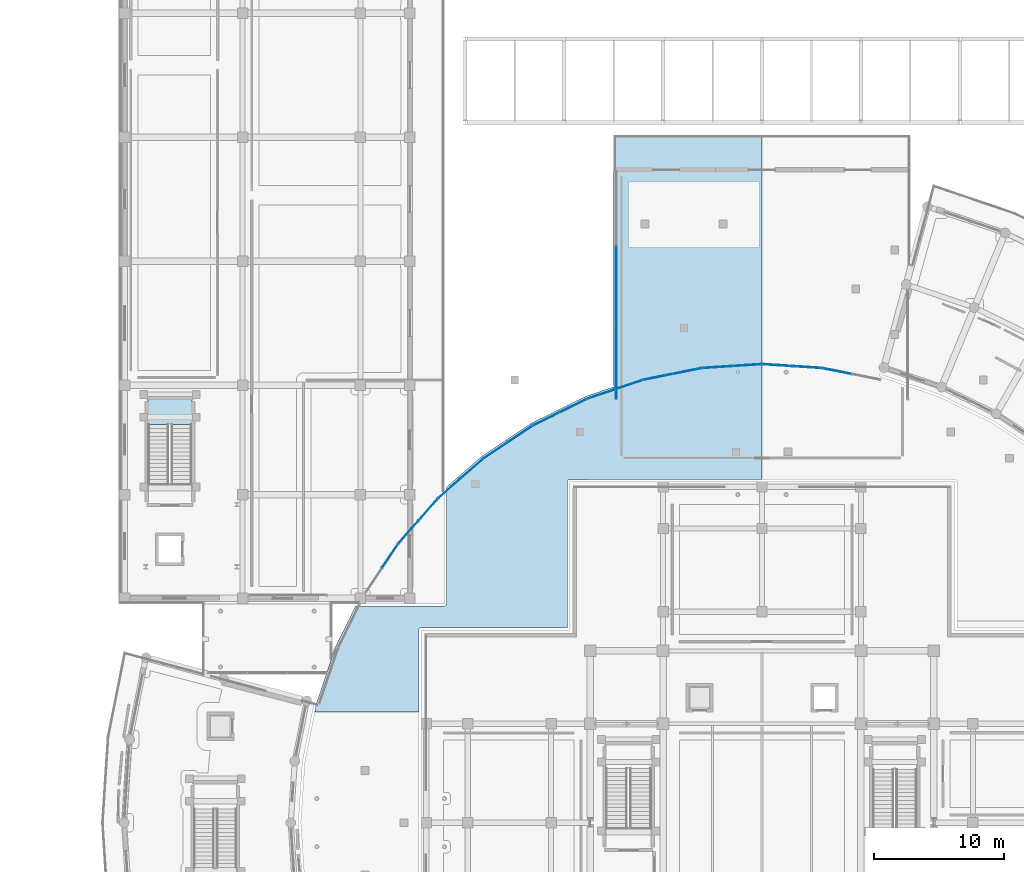
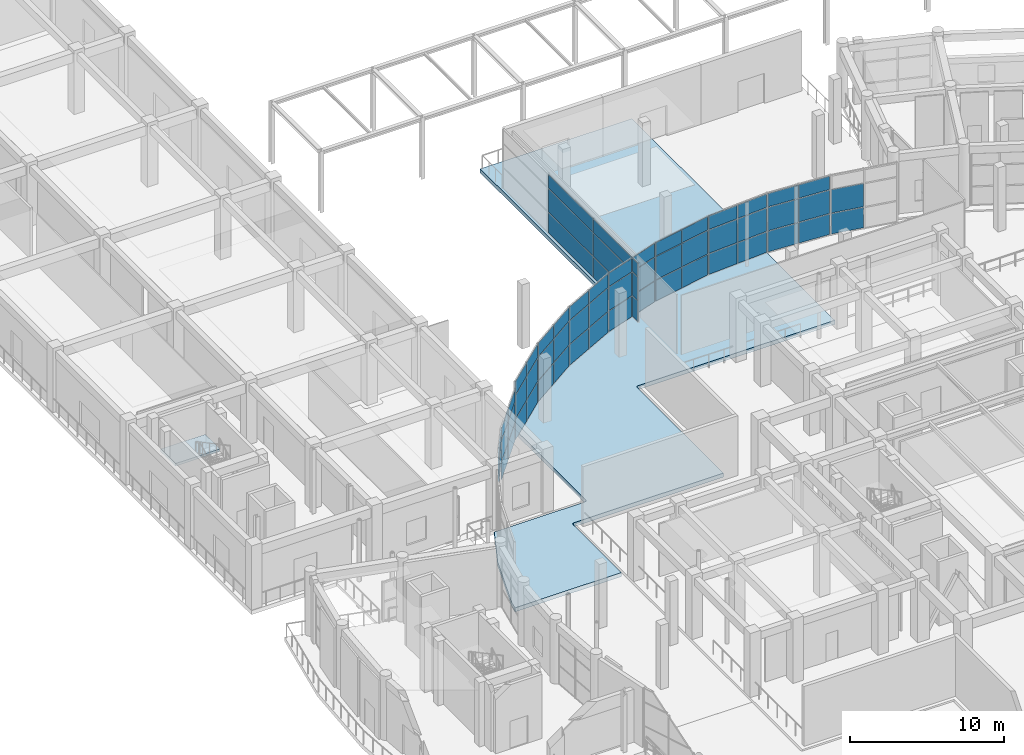
# One storey, part 59 of 99: 58 plates, 2 slabs, 12 elements without a shape of their own.
"""IFC4 building model written with IfcOpenShell, lengths in metres."""

import ifcopenshell
import ifcopenshell.guid

model = None  # the IFC model being written
_history = None  # IfcOwnerHistory: only IFC2X3 demands one
_inside = {}  # id of a spatial element -> (the spatial element, [elements in it])
_under = {}  # id of a project, library or spatial element -> (it, [spatial elements below it])
_declared = {}  # id of a project -> (the project, [libraries it declares])
_typed = {}  # id of a type object -> (the type object, [elements of that type])
_made_of = {}  # id of a material, layer set ... -> (it, [elements and type objects made of it])


def new_model(schema):
    """Start an empty IFC model of exactly this schema.

    Asked for "IFC4X3", IfcOpenShell would pick the latest addendum, in which some entities
    have other attributes; the version numbers below select the first issue.
    IFC2X3 requires an IfcOwnerHistory on every rooted entity: one is made here for all.
    """
    global model, _history
    if schema == "IFC4X3":
        model = ifcopenshell.file(schema_version=(4, 3, 0, 0))
    else:
        model = ifcopenshell.file(schema=schema)
    _inside.clear()
    _under.clear()
    _declared.clear()
    _typed.clear()
    _made_of.clear()
    _history = None
    if model.schema == "IFC2X3":
        org = make("IfcOrganization", Name="unknown")
        user = make(
            "IfcPersonAndOrganization",
            ThePerson=make("IfcPerson", FamilyName="unknown"),
            TheOrganization=org,
        )
        app = make(
            "IfcApplication",
            ApplicationDeveloper=org,
            Version="unknown",
            ApplicationFullName="unknown",
            ApplicationIdentifier="unknown",
        )
        _history = make(
            "IfcOwnerHistory",
            OwningUser=user,
            OwningApplication=app,
            ChangeAction="ADDED",
            CreationDate=0,
        )
    return model


def make(cls, **values):
    """One entity of the class cls with the attributes given. An attribute that is None is left unset."""
    return model.create_entity(
        cls, **{name: value for name, value in values.items() if value is not None}
    )


def rooted(cls, **values):
    """An entity with a GlobalId (a new one), such as an element, a storey or a relation."""
    return make(cls, GlobalId=ifcopenshell.guid.new(), OwnerHistory=_history, **values)


def si_unit(unit_type, name, prefix=None):
    """IfcSIUnit, for example si_unit("LENGTHUNIT", "METRE", prefix="MILLI")."""
    return make("IfcSIUnit", UnitType=unit_type, Prefix=prefix, Name=name)


def assignment(units):
    """IfcUnitAssignment: the units of a project."""
    return None if units is None else make("IfcUnitAssignment", Units=units)


def point(xyz):
    """IfcCartesianPoint."""
    return None if xyz is None else make("IfcCartesianPoint", Coordinates=xyz)


def direction(xyz):
    """IfcDirection."""
    return None if xyz is None else make("IfcDirection", DirectionRatios=xyz)


def frame(location, z_axis=None, x_axis=None):
    """IfcAxis2Placement3D, a coordinate frame: its origin and axes. An axis left out is left unset."""
    return make(
        "IfcAxis2Placement3D",
        Location=point(location),
        Axis=direction(z_axis),
        RefDirection=direction(x_axis),
    )


def frame_2d(location, x_axis=None):
    """IfcAxis2Placement2D, a coordinate frame in the plane: its origin and x axis."""
    return make(
        "IfcAxis2Placement2D", Location=point(location), RefDirection=direction(x_axis)
    )


def origin():
    """The frame at (0, 0, 0) with its axes left unset."""
    return frame((0.0, 0.0, 0.0))


def origin_2d():
    """The frame at (0, 0) in the plane with its x axis left unset."""
    return frame_2d((0.0, 0.0))


def place(relative_to, where):
    """IfcLocalPlacement: puts the frame where relative to a parent placement (None: the world)."""
    return make(
        "IfcLocalPlacement", PlacementRelTo=relative_to, RelativePlacement=where
    )


def context(
    kind, dimensions, precision=None, world=None, true_north=None, identifier=None
):
    """IfcGeometricRepresentationContext, for example the 3D "Model" context."""
    return make(
        "IfcGeometricRepresentationContext",
        ContextIdentifier=identifier,
        ContextType=kind,
        CoordinateSpaceDimension=dimensions,
        Precision=precision,
        WorldCoordinateSystem=world,
        TrueNorth=true_north,
    )


def subcontext(parent, identifier, kind, view, scale=None):
    """IfcGeometricRepresentationSubContext, for example "Body" below "Model"."""
    return make(
        "IfcGeometricRepresentationSubContext",
        ContextIdentifier=identifier,
        ContextType=kind,
        ParentContext=parent,
        TargetScale=scale,
        TargetView=view,
    )


def project(units=None, contexts=None):
    """IfcProject with its units and contexts."""
    return rooted(
        "IfcProject",
        Name="project",
        RepresentationContexts=contexts,
        UnitsInContext=assignment(units),
    )


def spatial(cls, under=None, at=None, **own):
    """A site, building, storey or space (cls), placed at a placement, below another one or the project."""
    s = rooted(cls, ObjectPlacement=at, **own)
    if under is not None:
        _under.setdefault(under.id(), (under, []))[1].append(s)
    return s


def polyline(points):
    """IfcPolyline through the points."""
    return make("IfcPolyline", Points=[point(p) for p in points])


def profile(cls, at=None, kind="AREA", **sizes):
    """A parametric profile (cls). Its sizes go by their IFC names, for example OverallWidth=200.0."""
    return make(cls, ProfileType=kind, Position=at, **sizes)


def rectangle(**sizes):
    """IfcRectangleProfileDef."""
    return profile("IfcRectangleProfileDef", **sizes)


def outline(outer, holes=None, kind="AREA"):
    """IfcArbitraryClosedProfileDef: a profile drawn as a closed curve; with holes, ...WithVoids."""
    if holes is None:
        return make("IfcArbitraryClosedProfileDef", ProfileType=kind, OuterCurve=outer)
    return make(
        "IfcArbitraryProfileDefWithVoids",
        ProfileType=kind,
        OuterCurve=outer,
        InnerCurves=holes,
    )


def extrude(swept, where, along, depth):
    """IfcExtrudedAreaSolid: the profile swept, set in the frame where, extruded along a direction by depth."""
    return make(
        "IfcExtrudedAreaSolid",
        SweptArea=swept,
        Position=where,
        ExtrudedDirection=direction(along),
        Depth=depth,
    )


def shape(context_of_items, identifier, shape_type, items):
    """IfcShapeRepresentation: the items that make up one representation, for example the "Body"."""
    return make(
        "IfcShapeRepresentation",
        ContextOfItems=context_of_items,
        RepresentationIdentifier=identifier,
        RepresentationType=shape_type,
        Items=items,
    )


def material(Name=None, Category=None):
    """IfcMaterial."""
    return make("IfcMaterial", Name=Name, Category=Category)


def layer(
    of_material, thickness, ventilated=None, Name=None, Category=None, Priority=None
):
    """IfcMaterialLayer: one layer of a wall or slab, of a material (None: an air gap)."""
    return make(
        "IfcMaterialLayer",
        Material=of_material,
        LayerThickness=thickness,
        IsVentilated=ventilated,
        Name=Name,
        Category=Category,
        Priority=Priority,
    )


def layer_set(layers, Name=None):
    """IfcMaterialLayerSet."""
    return make("IfcMaterialLayerSet", MaterialLayers=layers, LayerSetName=Name)


def made_of(thing, what):
    """Note that an element or type object is made of a material, layer set ...; save() writes the relation."""
    if what is not None:
        _made_of.setdefault(what.id(), (what, []))[1].append(thing)
    return thing


def type_object(cls, material=None, **own):
    """A type object (cls), such as IfcWallType, which elements share."""
    return made_of(rooted(cls, **own), material)


def element(
    cls,
    number,
    at=None,
    inside=None,
    cuts=None,
    type_object=None,
    material=None,
    context=None,
    identifier="Body",
    shape_type=None,
    held_by="IfcProductDefinitionShape",
    body=None,
    shapes=None,
    **own,
):
    """One element of the class cls, such as IfcWall. Its Tag is "e" and its number.

    at: its placement. inside: the storey or other place that contains it. cuts: it is an
    opening in that element (IfcRelVoidsElement). A single representation is given by context,
    identifier, shape_type and body (its items); several are given by shapes. held_by: the class
    of the entity that holds the representations. save() writes the other relations.
    """
    e = rooted(cls, Tag="e%d" % number, ObjectPlacement=at, **own)
    if body is not None:
        shapes = [shape(context, identifier, shape_type, body)]
    if shapes is not None:
        e.Representation = make(held_by, Representations=shapes)
    if inside is not None:
        _inside.setdefault(inside.id(), (inside, []))[1].append(e)
    if cuts is not None:
        rooted(
            "IfcRelVoidsElement", RelatingBuildingElement=cuts, RelatedOpeningElement=e
        )
    if type_object is not None:
        _typed.setdefault(type_object.id(), (type_object, []))[1].append(e)
    return made_of(e, material)


def aggregate(whole, parts):
    """IfcRelAggregates: a whole, such as a stair, and the parts it consists of."""
    return rooted("IfcRelAggregates", RelatingObject=whole, RelatedObjects=parts)


def save(model, path):
    """Write the relations noted so far, then the file.

    IfcRelAggregates (storeys below a building ...), IfcRelContainedInSpatialStructure (elements
    in a storey), IfcRelDefinesByType, IfcRelAssociatesMaterial and IfcRelDeclares: one each for
    every whole, place, type object, material and project.
    """
    for whole, parts in _under.values():
        aggregate(whole, parts)
    for where, things in _inside.values():
        rooted(
            "IfcRelContainedInSpatialStructure",
            RelatedElements=things,
            RelatingStructure=where,
        )
    for kind, things in _typed.values():
        rooted("IfcRelDefinesByType", RelatedObjects=things, RelatingType=kind)
    for what, things in _made_of.values():
        rooted("IfcRelAssociatesMaterial", RelatedObjects=things, RelatingMaterial=what)
    for by, libraries in _declared.values():
        rooted("IfcRelDeclares", RelatingContext=by, RelatedDefinitions=libraries)
    model.write(path)


model = new_model("IFC4")

# Units and contexts
model_context = context("Model", 3, precision=1e-05, world=origin(), true_north=direction((0.0, 1.0)))
body_context = subcontext(model_context, "Body", "Model", "MODEL_VIEW")
ifc_project = project(units=[si_unit("LENGTHUNIT", "METRE"), si_unit("AREAUNIT", "SQUARE_METRE"), si_unit("VOLUMEUNIT", "CUBIC_METRE"), si_unit("PLANEANGLEUNIT", "RADIAN"), si_unit("MASSUNIT", "GRAM", prefix="KILO")], contexts=[model_context])

# Site, building, storey
site_placement = place(None, origin())
site = spatial("IfcSite", under=ifc_project, at=site_placement, CompositionType="ELEMENT")
building_placement = place(site_placement, origin())
building = spatial("IfcBuilding", under=site, at=building_placement, Name="Saryqyr Civic Hall", CompositionType="ELEMENT")
storey_placement = place(building_placement, origin())
storey = spatial("IfcBuildingStorey", under=building, at=storey_placement, Name="L00", CompositionType="ELEMENT", Elevation=0.0)

# Curtain wall, plates
ifc_material_1 = material(Name="Anodised aluminium and triple low-E glass", Category="aluminium")
curtain_wall_type_1 = type_object("IfcCurtainWallType", Name="ENV-CW-STD-65", PredefinedType="NOTDEFINED", material=ifc_material_1)
curtain_wall_1_placement = place(storey_placement, origin())
curtain_wall_1 = element("IfcCurtainWall", 1, at=curtain_wall_1_placement, inside=storey, type_object=curtain_wall_type_1, Name="Curtain wall V2-VESTFLK-NW-L00", PredefinedType="NOTDEFINED")
ifc_material_2 = material(Name="Triple low-E insulated glazing", Category="glass")
ifc_layer_1 = layer(ifc_material_2, 0.053955078125, Name="Triple low-E insulated glazing")
ifc_layer_set_1 = layer_set([ifc_layer_1], Name="Triple low-E insulated glazing")
plate_type = type_object("IfcPlateType", Name="ENV-CW-PNL-38", PredefinedType="CURTAIN_PANEL", material=ifc_layer_set_1)
plate_1_placement = place(storey_placement, frame((45.800048828125, 119.456787109375, 0.06005859375), z_axis=(0.0, 0.0, 1.0), x_axis=(0.0, 1.0, 0.0)))
plate_1 = element("IfcPlate", 2, at=plate_1_placement, type_object=plate_type, Name="CW-65 panel 1.1", PredefinedType="CURTAIN_PANEL", context=body_context, shape_type="SweptSolid", body=[
    extrude(rectangle(XDim=5.793212890625, YDim=0.053955078125, at=origin_2d()), origin(), (0.0, 0.0, 1.0), 1.6201171875),
])
plate_2_placement = place(storey_placement, frame((45.800048828125, 119.456787109375, 1.73974609375), z_axis=(0.0, 0.0, 1.0), x_axis=(0.0, 1.0, 0.0)))
plate_2 = element("IfcPlate", 3, at=plate_2_placement, type_object=plate_type, Name="CW-65 panel 1.2", PredefinedType="CURTAIN_PANEL", context=body_context, shape_type="SweptSolid", body=[
    extrude(rectangle(XDim=5.793212890625, YDim=0.053955078125, at=origin_2d()), origin(), (0.0, 0.0, 1.0), 1.840087890625),
])
plate_3_placement = place(storey_placement, frame((45.800048828125, 119.456787109375, 3.64013671875), z_axis=(0.0, 0.0, 1.0), x_axis=(0.0, 1.0, 0.0)))
plate_3 = element("IfcPlate", 4, at=plate_3_placement, type_object=plate_type, Name="CW-65 panel 1.3", PredefinedType="CURTAIN_PANEL", context=body_context, shape_type="SweptSolid", body=[
    extrude(rectangle(XDim=5.793212890625, YDim=0.053955078125, at=origin_2d()), origin(), (0.0, 0.0, 1.0), 1.050048828125),
])
plate_4_placement = place(storey_placement, frame((45.800048828125, 125.324951171875, 0.06005859375), z_axis=(0.0, 0.0, 1.0), x_axis=(0.0, 1.0, 0.0)))
plate_4 = element("IfcPlate", 5, at=plate_4_placement, type_object=plate_type, Name="CW-65 panel 2.1", PredefinedType="CURTAIN_PANEL", context=body_context, shape_type="SweptSolid", body=[
    extrude(rectangle(XDim=5.8232421875, YDim=0.053955078125, at=origin_2d()), origin(), (0.0, 0.0, 1.0), 1.6201171875),
])
plate_5_placement = place(storey_placement, frame((45.800048828125, 125.324951171875, 1.73974609375), z_axis=(0.0, 0.0, 1.0), x_axis=(0.0, 1.0, 0.0)))
plate_5 = element("IfcPlate", 6, at=plate_5_placement, type_object=plate_type, Name="CW-65 panel 2.2", PredefinedType="CURTAIN_PANEL", context=body_context, shape_type="SweptSolid", body=[
    extrude(rectangle(XDim=5.8232421875, YDim=0.053955078125, at=origin_2d()), origin(), (0.0, 0.0, 1.0), 1.840087890625),
])
plate_6_placement = place(storey_placement, frame((45.800048828125, 125.324951171875, 3.64013671875), z_axis=(0.0, 0.0, 1.0), x_axis=(0.0, 1.0, 0.0)))
plate_6 = element("IfcPlate", 7, at=plate_6_placement, type_object=plate_type, Name="CW-65 panel 2.3", PredefinedType="CURTAIN_PANEL", context=body_context, shape_type="SweptSolid", body=[
    extrude(rectangle(XDim=5.8232421875, YDim=0.053955078125, at=origin_2d()), origin(), (0.0, 0.0, 1.0), 1.050048828125),
])
aggregate(curtain_wall_1, [plate_1, plate_2, plate_3, plate_4, plate_5, plate_6])

curtain_wall_type_2 = type_object("IfcCurtainWallType", Name="ENV-CW-STD-67", PredefinedType="NOTDEFINED", material=ifc_material_1)
curtain_wall_2_placement = place(storey_placement, origin())
curtain_wall_2 = element("IfcCurtainWall", 8, at=curtain_wall_2_placement, inside=storey, type_object=curtain_wall_type_2, Name="Curtain wall V2-PERIM-CW-L00-10", PredefinedType="NOTDEFINED")
plate_7_placement = place(storey_placement, frame((62.741455078125, 118.691162109375, 0.06005859375), z_axis=(0.0, 0.0, 1.0), x_axis=(0.980784679507, -0.195093342902, 0.0)))
plate_7 = element("IfcPlate", 9, at=plate_7_placement, type_object=plate_type, Name="CW-67 panel 1.1", PredefinedType="CURTAIN_PANEL", context=body_context, shape_type="SweptSolid", body=[
    extrude(rectangle(XDim=2.213623046875, YDim=0.053955078125, at=origin_2d()), origin(), (0.0, 0.0, 1.0), 1.6201171875),
])
plate_8_placement = place(storey_placement, frame((62.741455078125, 118.691162109375, 1.73974609375), z_axis=(0.0, 0.0, 1.0), x_axis=(0.980784679507, -0.195093342902, 0.0)))
plate_8 = element("IfcPlate", 10, at=plate_8_placement, type_object=plate_type, Name="CW-67 panel 1.2", PredefinedType="CURTAIN_PANEL", context=body_context, shape_type="SweptSolid", body=[
    extrude(rectangle(XDim=2.213623046875, YDim=0.053955078125, at=origin_2d()), origin(), (0.0, 0.0, 1.0), 1.840087890625),
])
aggregate(curtain_wall_2, [plate_7, plate_8])

curtain_wall_3_placement = place(storey_placement, origin())
curtain_wall_3 = element("IfcCurtainWall", 11, at=curtain_wall_3_placement, inside=storey, type_object=curtain_wall_type_2, Name="Curtain wall V2-PERIM-CW-L00-11", PredefinedType="NOTDEFINED")
plate_9_placement = place(storey_placement, frame((58.164306640625, 119.143798828125, 0.06005859375), z_axis=(0.0, 0.0, 1.0), x_axis=(0.997859062814, -0.065400999681, 0.0)))
plate_9 = element("IfcPlate", 12, at=plate_9_placement, type_object=plate_type, Name="CW-67 panel 1.1", PredefinedType="CURTAIN_PANEL", context=body_context, shape_type="SweptSolid", body=[
    extrude(rectangle(XDim=2.21337890625, YDim=0.053955078125, at=origin_2d()), origin(), (0.0, 0.0, 1.0), 1.6201171875),
])
plate_10_placement = place(storey_placement, frame((58.164306640625, 119.143798828125, 1.73974609375), z_axis=(0.0, 0.0, 1.0), x_axis=(0.997859062814, -0.065400999681, 0.0)))
plate_10 = element("IfcPlate", 13, at=plate_10_placement, type_object=plate_type, Name="CW-67 panel 1.2", PredefinedType="CURTAIN_PANEL", context=body_context, shape_type="SweptSolid", body=[
    extrude(rectangle(XDim=2.21337890625, YDim=0.053955078125, at=origin_2d()), origin(), (0.0, 0.0, 1.0), 1.840087890625),
])
plate_11_placement = place(storey_placement, frame((58.164306640625, 119.143798828125, 3.64013671875), z_axis=(0.0, 0.0, 1.0), x_axis=(0.997859062814, -0.065400999681, 0.0)))
plate_11 = element("IfcPlate", 14, at=plate_11_placement, type_object=plate_type, Name="CW-67 panel 1.3", PredefinedType="CURTAIN_PANEL", context=body_context, shape_type="SweptSolid", body=[
    extrude(rectangle(XDim=2.21337890625, YDim=0.053955078125, at=origin_2d()), origin(), (0.0, 0.0, 1.0), 1.050048828125),
])
plate_12_placement = place(storey_placement, frame((60.432861328125, 118.9951171875, 0.06005859375), z_axis=(0.0, 0.0, 1.0), x_axis=(0.997859062814, -0.065400999681, 0.0)))
plate_12 = element("IfcPlate", 15, at=plate_12_placement, type_object=plate_type, Name="CW-67 panel 2.1", PredefinedType="CURTAIN_PANEL", context=body_context, shape_type="SweptSolid", body=[
    extrude(rectangle(XDim=2.21337890625, YDim=0.053955078125, at=origin_2d()), origin(), (0.0, 0.0, 1.0), 1.6201171875),
])
plate_13_placement = place(storey_placement, frame((60.432861328125, 118.9951171875, 1.73974609375), z_axis=(0.0, 0.0, 1.0), x_axis=(0.997859062814, -0.065400999681, 0.0)))
plate_13 = element("IfcPlate", 16, at=plate_13_placement, type_object=plate_type, Name="CW-67 panel 2.2", PredefinedType="CURTAIN_PANEL", context=body_context, shape_type="SweptSolid", body=[
    extrude(rectangle(XDim=2.21337890625, YDim=0.053955078125, at=origin_2d()), origin(), (0.0, 0.0, 1.0), 1.840087890625),
])
plate_14_placement = place(storey_placement, frame((60.432861328125, 118.9951171875, 3.64013671875), z_axis=(0.0, 0.0, 1.0), x_axis=(0.997859062814, -0.065400999681, 0.0)))
plate_14 = element("IfcPlate", 17, at=plate_14_placement, type_object=plate_type, Name="CW-67 panel 2.3", PredefinedType="CURTAIN_PANEL", context=body_context, shape_type="SweptSolid", body=[
    extrude(rectangle(XDim=2.21337890625, YDim=0.053955078125, at=origin_2d()), origin(), (0.0, 0.0, 1.0), 1.050048828125),
])
aggregate(curtain_wall_3, [plate_9, plate_10, plate_11, plate_12, plate_13, plate_14])

curtain_wall_4_placement = place(storey_placement, origin())
curtain_wall_4 = element("IfcCurtainWall", 18, at=curtain_wall_4_placement, inside=storey, type_object=curtain_wall_type_2, Name="Curtain wall V2-PERIM-CW-L00-12", PredefinedType="NOTDEFINED")
plate_15_placement = place(storey_placement, frame((53.567138671875, 118.9951171875, 0.06005859375), z_axis=(0.0, 0.0, 1.0), x_axis=(0.997859062814, 0.065400999681, 0.0)))
plate_15 = element("IfcPlate", 19, at=plate_15_placement, type_object=plate_type, Name="CW-67 panel 1.1", PredefinedType="CURTAIN_PANEL", context=body_context, shape_type="SweptSolid", body=[
    extrude(rectangle(XDim=2.21337890625, YDim=0.053955078125, at=origin_2d()), origin(), (0.0, 0.0, 1.0), 1.6201171875),
])
plate_16_placement = place(storey_placement, frame((53.567138671875, 118.9951171875, 1.73974609375), z_axis=(0.0, 0.0, 1.0), x_axis=(0.997859062814, 0.065400999681, 0.0)))
plate_16 = element("IfcPlate", 20, at=plate_16_placement, type_object=plate_type, Name="CW-67 panel 1.2", PredefinedType="CURTAIN_PANEL", context=body_context, shape_type="SweptSolid", body=[
    extrude(rectangle(XDim=2.21337890625, YDim=0.053955078125, at=origin_2d()), origin(), (0.0, 0.0, 1.0), 1.840087890625),
])
plate_17_placement = place(storey_placement, frame((53.567138671875, 118.9951171875, 3.64013671875), z_axis=(0.0, 0.0, 1.0), x_axis=(0.997859062814, 0.065400999681, 0.0)))
plate_17 = element("IfcPlate", 21, at=plate_17_placement, type_object=plate_type, Name="CW-67 panel 1.3", PredefinedType="CURTAIN_PANEL", context=body_context, shape_type="SweptSolid", body=[
    extrude(rectangle(XDim=2.21337890625, YDim=0.053955078125, at=origin_2d()), origin(), (0.0, 0.0, 1.0), 1.050048828125),
])
plate_18_placement = place(storey_placement, frame((55.835693359375, 119.143798828125, 0.06005859375), z_axis=(0.0, 0.0, 1.0), x_axis=(0.997859062814, 0.065400999681, 0.0)))
plate_18 = element("IfcPlate", 22, at=plate_18_placement, type_object=plate_type, Name="CW-67 panel 2.1", PredefinedType="CURTAIN_PANEL", context=body_context, shape_type="SweptSolid", body=[
    extrude(rectangle(XDim=2.21337890625, YDim=0.053955078125, at=origin_2d()), origin(), (0.0, 0.0, 1.0), 1.6201171875),
])
plate_19_placement = place(storey_placement, frame((55.835693359375, 119.143798828125, 1.73974609375), z_axis=(0.0, 0.0, 1.0), x_axis=(0.997859062814, 0.065400999681, 0.0)))
plate_19 = element("IfcPlate", 23, at=plate_19_placement, type_object=plate_type, Name="CW-67 panel 2.2", PredefinedType="CURTAIN_PANEL", context=body_context, shape_type="SweptSolid", body=[
    extrude(rectangle(XDim=2.21337890625, YDim=0.053955078125, at=origin_2d()), origin(), (0.0, 0.0, 1.0), 1.840087890625),
])
plate_20_placement = place(storey_placement, frame((55.835693359375, 119.143798828125, 3.64013671875), z_axis=(0.0, 0.0, 1.0), x_axis=(0.997859062814, 0.065400999681, 0.0)))
plate_20 = element("IfcPlate", 24, at=plate_20_placement, type_object=plate_type, Name="CW-67 panel 2.3", PredefinedType="CURTAIN_PANEL", context=body_context, shape_type="SweptSolid", body=[
    extrude(rectangle(XDim=2.21337890625, YDim=0.053955078125, at=origin_2d()), origin(), (0.0, 0.0, 1.0), 1.050048828125),
])
aggregate(curtain_wall_4, [plate_15, plate_16, plate_17, plate_18, plate_19, plate_20])

curtain_wall_5_placement = place(storey_placement, origin())
curtain_wall_5 = element("IfcCurtainWall", 25, at=curtain_wall_5_placement, inside=storey, type_object=curtain_wall_type_2, Name="Curtain wall V2-PERIM-CW-L00-13", PredefinedType="NOTDEFINED")
plate_21_placement = place(storey_placement, frame((49.02880859375, 118.24755859375, 0.06005859375), z_axis=(0.0, 0.0, 1.0), x_axis=(0.980784679507, 0.195093342902, 0.0)))
plate_21 = element("IfcPlate", 26, at=plate_21_placement, type_object=plate_type, Name="CW-67 panel 1.1", PredefinedType="CURTAIN_PANEL", context=body_context, shape_type="SweptSolid", body=[
    extrude(rectangle(XDim=2.213623046875, YDim=0.053955078125, at=origin_2d()), origin(), (0.0, 0.0, 1.0), 1.6201171875),
])
plate_22_placement = place(storey_placement, frame((49.02880859375, 118.24755859375, 1.73974609375), z_axis=(0.0, 0.0, 1.0), x_axis=(0.980784679507, 0.195093342902, 0.0)))
plate_22 = element("IfcPlate", 27, at=plate_22_placement, type_object=plate_type, Name="CW-67 panel 1.2", PredefinedType="CURTAIN_PANEL", context=body_context, shape_type="SweptSolid", body=[
    extrude(rectangle(XDim=2.213623046875, YDim=0.053955078125, at=origin_2d()), origin(), (0.0, 0.0, 1.0), 1.840087890625),
])
plate_23_placement = place(storey_placement, frame((49.02880859375, 118.24755859375, 3.64013671875), z_axis=(0.0, 0.0, 1.0), x_axis=(0.980784679507, 0.195093342902, 0.0)))
plate_23 = element("IfcPlate", 28, at=plate_23_placement, type_object=plate_type, Name="CW-67 panel 1.3", PredefinedType="CURTAIN_PANEL", context=body_context, shape_type="SweptSolid", body=[
    extrude(rectangle(XDim=2.213623046875, YDim=0.053955078125, at=origin_2d()), origin(), (0.0, 0.0, 1.0), 1.050048828125),
])
plate_24_placement = place(storey_placement, frame((51.258544921875, 118.691162109375, 0.06005859375), z_axis=(0.0, 0.0, 1.0), x_axis=(0.980784679507, 0.195093342902, 0.0)))
plate_24 = element("IfcPlate", 29, at=plate_24_placement, type_object=plate_type, Name="CW-67 panel 2.1", PredefinedType="CURTAIN_PANEL", context=body_context, shape_type="SweptSolid", body=[
    extrude(rectangle(XDim=2.213623046875, YDim=0.053955078125, at=origin_2d()), origin(), (0.0, 0.0, 1.0), 1.6201171875),
])
plate_25_placement = place(storey_placement, frame((51.258544921875, 118.691162109375, 1.73974609375), z_axis=(0.0, 0.0, 1.0), x_axis=(0.980784679507, 0.195093342902, 0.0)))
plate_25 = element("IfcPlate", 30, at=plate_25_placement, type_object=plate_type, Name="CW-67 panel 2.2", PredefinedType="CURTAIN_PANEL", context=body_context, shape_type="SweptSolid", body=[
    extrude(rectangle(XDim=2.213623046875, YDim=0.053955078125, at=origin_2d()), origin(), (0.0, 0.0, 1.0), 1.840087890625),
])
plate_26_placement = place(storey_placement, frame((51.258544921875, 118.691162109375, 3.64013671875), z_axis=(0.0, 0.0, 1.0), x_axis=(0.980784679507, 0.195093342902, 0.0)))
plate_26 = element("IfcPlate", 31, at=plate_26_placement, type_object=plate_type, Name="CW-67 panel 2.3", PredefinedType="CURTAIN_PANEL", context=body_context, shape_type="SweptSolid", body=[
    extrude(rectangle(XDim=2.213623046875, YDim=0.053955078125, at=origin_2d()), origin(), (0.0, 0.0, 1.0), 1.050048828125),
])
aggregate(curtain_wall_5, [plate_21, plate_22, plate_23, plate_24, plate_25, plate_26])

curtain_wall_6_placement = place(storey_placement, origin())
curtain_wall_6 = element("IfcCurtainWall", 32, at=curtain_wall_6_placement, inside=storey, type_object=curtain_wall_type_2, Name="Curtain wall V2-PERIM-CW-L00-14", PredefinedType="NOTDEFINED")
plate_27_placement = place(storey_placement, frame((44.626708984375, 116.9140625, 0.06005859375), z_axis=(0.0, 0.0, 1.0), x_axis=(0.946928094828, 0.321445459178, 0.0)))
plate_27 = element("IfcPlate", 33, at=plate_27_placement, type_object=plate_type, Name="CW-67 panel 1.1", PredefinedType="CURTAIN_PANEL", context=body_context, shape_type="SweptSolid", body=[
    extrude(rectangle(XDim=2.213623046875, YDim=0.053955078125, at=origin_2d()), origin(), (0.0, 0.0, 1.0), 1.6201171875),
])
plate_28_placement = place(storey_placement, frame((44.626708984375, 116.9140625, 1.73974609375), z_axis=(0.0, 0.0, 1.0), x_axis=(0.946928094828, 0.321445459178, 0.0)))
plate_28 = element("IfcPlate", 34, at=plate_28_placement, type_object=plate_type, Name="CW-67 panel 1.2", PredefinedType="CURTAIN_PANEL", context=body_context, shape_type="SweptSolid", body=[
    extrude(rectangle(XDim=2.213623046875, YDim=0.053955078125, at=origin_2d()), origin(), (0.0, 0.0, 1.0), 1.840087890625),
])
plate_29_placement = place(storey_placement, frame((44.626708984375, 116.9140625, 3.64013671875), z_axis=(0.0, 0.0, 1.0), x_axis=(0.946928094828, 0.321445459178, 0.0)))
plate_29 = element("IfcPlate", 35, at=plate_29_placement, type_object=plate_type, Name="CW-67 panel 1.3", PredefinedType="CURTAIN_PANEL", context=body_context, shape_type="SweptSolid", body=[
    extrude(rectangle(XDim=2.213623046875, YDim=0.053955078125, at=origin_2d()), origin(), (0.0, 0.0, 1.0), 1.050048828125),
])
plate_30_placement = place(storey_placement, frame((46.779541015625, 117.644775390625, 0.06005859375), z_axis=(0.0, 0.0, 1.0), x_axis=(0.946928094828, 0.321445459178, 0.0)))
plate_30 = element("IfcPlate", 36, at=plate_30_placement, type_object=plate_type, Name="CW-67 panel 2.1", PredefinedType="CURTAIN_PANEL", context=body_context, shape_type="SweptSolid", body=[
    extrude(rectangle(XDim=2.213623046875, YDim=0.053955078125, at=origin_2d()), origin(), (0.0, 0.0, 1.0), 1.6201171875),
])
plate_31_placement = place(storey_placement, frame((46.779541015625, 117.644775390625, 1.73974609375), z_axis=(0.0, 0.0, 1.0), x_axis=(0.946928094828, 0.321445459178, 0.0)))
plate_31 = element("IfcPlate", 37, at=plate_31_placement, type_object=plate_type, Name="CW-67 panel 2.2", PredefinedType="CURTAIN_PANEL", context=body_context, shape_type="SweptSolid", body=[
    extrude(rectangle(XDim=2.213623046875, YDim=0.053955078125, at=origin_2d()), origin(), (0.0, 0.0, 1.0), 1.840087890625),
])
plate_32_placement = place(storey_placement, frame((46.779541015625, 117.644775390625, 3.64013671875), z_axis=(0.0, 0.0, 1.0), x_axis=(0.946928094828, 0.321445459178, 0.0)))
plate_32 = element("IfcPlate", 38, at=plate_32_placement, type_object=plate_type, Name="CW-67 panel 2.3", PredefinedType="CURTAIN_PANEL", context=body_context, shape_type="SweptSolid", body=[
    extrude(rectangle(XDim=2.213623046875, YDim=0.053955078125, at=origin_2d()), origin(), (0.0, 0.0, 1.0), 1.050048828125),
])
aggregate(curtain_wall_6, [plate_27, plate_28, plate_29, plate_30, plate_31, plate_32])

curtain_wall_7_placement = place(storey_placement, origin())
curtain_wall_7 = element("IfcCurtainWall", 39, at=curtain_wall_7_placement, inside=storey, type_object=curtain_wall_type_2, Name="Curtain wall V2-PERIM-CW-L00-15", PredefinedType="NOTDEFINED")
plate_33_placement = place(storey_placement, frame((40.4365234375, 115.017333984375, 0.06005859375), z_axis=(0.0, 0.0, 1.0), x_axis=(0.896875116746, 0.442283873729, 0.0)))
plate_33 = element("IfcPlate", 40, at=plate_33_placement, type_object=plate_type, Name="CW-67 panel 1.1", PredefinedType="CURTAIN_PANEL", context=body_context, shape_type="SweptSolid", body=[
    extrude(rectangle(XDim=2.21337890625, YDim=0.053955078125, at=origin_2d()), origin(), (0.0, 0.0, 1.0), 1.6201171875),
])
plate_34_placement = place(storey_placement, frame((40.4365234375, 115.017333984375, 1.73974609375), z_axis=(0.0, 0.0, 1.0), x_axis=(0.896875116746, 0.442283873729, 0.0)))
plate_34 = element("IfcPlate", 41, at=plate_34_placement, type_object=plate_type, Name="CW-67 panel 1.2", PredefinedType="CURTAIN_PANEL", context=body_context, shape_type="SweptSolid", body=[
    extrude(rectangle(XDim=2.21337890625, YDim=0.053955078125, at=origin_2d()), origin(), (0.0, 0.0, 1.0), 1.840087890625),
])
plate_35_placement = place(storey_placement, frame((40.4365234375, 115.017333984375, 3.64013671875), z_axis=(0.0, 0.0, 1.0), x_axis=(0.896875116746, 0.442283873729, 0.0)))
plate_35 = element("IfcPlate", 42, at=plate_35_placement, type_object=plate_type, Name="CW-67 panel 1.3", PredefinedType="CURTAIN_PANEL", context=body_context, shape_type="SweptSolid", body=[
    extrude(rectangle(XDim=2.21337890625, YDim=0.053955078125, at=origin_2d()), origin(), (0.0, 0.0, 1.0), 1.050048828125),
])
plate_36_placement = place(storey_placement, frame((42.4755859375, 116.02294921875, 0.06005859375), z_axis=(0.0, 0.0, 1.0), x_axis=(0.896875116746, 0.442283873729, 0.0)))
plate_36 = element("IfcPlate", 43, at=plate_36_placement, type_object=plate_type, Name="CW-67 panel 2.1", PredefinedType="CURTAIN_PANEL", context=body_context, shape_type="SweptSolid", body=[
    extrude(rectangle(XDim=2.21337890625, YDim=0.053955078125, at=origin_2d()), origin(), (0.0, 0.0, 1.0), 1.6201171875),
])
plate_37_placement = place(storey_placement, frame((42.4755859375, 116.02294921875, 1.73974609375), z_axis=(0.0, 0.0, 1.0), x_axis=(0.896875116746, 0.442283873729, 0.0)))
plate_37 = element("IfcPlate", 44, at=plate_37_placement, type_object=plate_type, Name="CW-67 panel 2.2", PredefinedType="CURTAIN_PANEL", context=body_context, shape_type="SweptSolid", body=[
    extrude(rectangle(XDim=2.21337890625, YDim=0.053955078125, at=origin_2d()), origin(), (0.0, 0.0, 1.0), 1.840087890625),
])
plate_38_placement = place(storey_placement, frame((42.4755859375, 116.02294921875, 3.64013671875), z_axis=(0.0, 0.0, 1.0), x_axis=(0.896875116746, 0.442283873729, 0.0)))
plate_38 = element("IfcPlate", 45, at=plate_38_placement, type_object=plate_type, Name="CW-67 panel 2.3", PredefinedType="CURTAIN_PANEL", context=body_context, shape_type="SweptSolid", body=[
    extrude(rectangle(XDim=2.21337890625, YDim=0.053955078125, at=origin_2d()), origin(), (0.0, 0.0, 1.0), 1.050048828125),
])
aggregate(curtain_wall_7, [plate_33, plate_34, plate_35, plate_36, plate_37, plate_38])

curtain_wall_8_placement = place(storey_placement, origin())
curtain_wall_8 = element("IfcCurtainWall", 46, at=curtain_wall_8_placement, inside=storey, type_object=curtain_wall_type_2, Name="Curtain wall V2-PERIM-CW-L00-16", PredefinedType="NOTDEFINED")
plate_39_placement = place(storey_placement, frame((36.529541015625, 112.590087890625, 0.06005859375), z_axis=(0.0, 0.0, 1.0), x_axis=(0.831472128078, 0.555566467877, 0.0)))
plate_39 = element("IfcPlate", 47, at=plate_39_placement, type_object=plate_type, Name="CW-67 panel 1.1", PredefinedType="CURTAIN_PANEL", context=body_context, shape_type="SweptSolid", body=[
    extrude(rectangle(XDim=2.213623046875, YDim=0.053955078125, at=origin_2d()), origin(), (0.0, 0.0, 1.0), 1.6201171875),
])
plate_40_placement = place(storey_placement, frame((36.529541015625, 112.590087890625, 1.73974609375), z_axis=(0.0, 0.0, 1.0), x_axis=(0.831472128078, 0.555566467877, 0.0)))
plate_40 = element("IfcPlate", 48, at=plate_40_placement, type_object=plate_type, Name="CW-67 panel 1.2", PredefinedType="CURTAIN_PANEL", context=body_context, shape_type="SweptSolid", body=[
    extrude(rectangle(XDim=2.213623046875, YDim=0.053955078125, at=origin_2d()), origin(), (0.0, 0.0, 1.0), 1.840087890625),
])
plate_41_placement = place(storey_placement, frame((36.529541015625, 112.590087890625, 3.64013671875), z_axis=(0.0, 0.0, 1.0), x_axis=(0.831472128078, 0.555566467877, 0.0)))
plate_41 = element("IfcPlate", 49, at=plate_41_placement, type_object=plate_type, Name="CW-67 panel 1.3", PredefinedType="CURTAIN_PANEL", context=body_context, shape_type="SweptSolid", body=[
    extrude(rectangle(XDim=2.213623046875, YDim=0.053955078125, at=origin_2d()), origin(), (0.0, 0.0, 1.0), 1.050048828125),
])
plate_42_placement = place(storey_placement, frame((38.419921875, 113.853271484375, 0.06005859375), z_axis=(0.0, 0.0, 1.0), x_axis=(0.831472128078, 0.555566467877, 0.0)))
plate_42 = element("IfcPlate", 50, at=plate_42_placement, type_object=plate_type, Name="CW-67 panel 2.1", PredefinedType="CURTAIN_PANEL", context=body_context, shape_type="SweptSolid", body=[
    extrude(rectangle(XDim=2.213623046875, YDim=0.053955078125, at=origin_2d()), origin(), (0.0, 0.0, 1.0), 1.6201171875),
])
plate_43_placement = place(storey_placement, frame((38.419921875, 113.853271484375, 1.73974609375), z_axis=(0.0, 0.0, 1.0), x_axis=(0.831472128078, 0.555566467877, 0.0)))
plate_43 = element("IfcPlate", 51, at=plate_43_placement, type_object=plate_type, Name="CW-67 panel 2.2", PredefinedType="CURTAIN_PANEL", context=body_context, shape_type="SweptSolid", body=[
    extrude(rectangle(XDim=2.213623046875, YDim=0.053955078125, at=origin_2d()), origin(), (0.0, 0.0, 1.0), 1.840087890625),
])
plate_44_placement = place(storey_placement, frame((38.419921875, 113.853271484375, 3.64013671875), z_axis=(0.0, 0.0, 1.0), x_axis=(0.831472128078, 0.555566467877, 0.0)))
plate_44 = element("IfcPlate", 52, at=plate_44_placement, type_object=plate_type, Name="CW-67 panel 2.3", PredefinedType="CURTAIN_PANEL", context=body_context, shape_type="SweptSolid", body=[
    extrude(rectangle(XDim=2.213623046875, YDim=0.053955078125, at=origin_2d()), origin(), (0.0, 0.0, 1.0), 1.050048828125),
])
aggregate(curtain_wall_8, [plate_39, plate_40, plate_41, plate_42, plate_43, plate_44])

curtain_wall_9_placement = place(storey_placement, origin())
curtain_wall_9 = element("IfcCurtainWall", 53, at=curtain_wall_9_placement, inside=storey, type_object=curtain_wall_type_2, Name="Curtain wall V2-PERIM-CW-L00-17", PredefinedType="NOTDEFINED")
plate_45_placement = place(storey_placement, frame((32.972900390625, 109.673583984375, 0.06005859375), z_axis=(0.0, 0.0, 1.0), x_axis=(0.751838018573, 0.659347854951, 0.0)))
plate_45 = element("IfcPlate", 54, at=plate_45_placement, type_object=plate_type, Name="CW-67 panel 1.1", PredefinedType="CURTAIN_PANEL", context=body_context, shape_type="SweptSolid", body=[
    extrude(rectangle(XDim=2.21337890625, YDim=0.053955078125, at=origin_2d()), origin(), (0.0, 0.0, 1.0), 1.6201171875),
])
plate_46_placement = place(storey_placement, frame((32.972900390625, 109.673583984375, 1.73974609375), z_axis=(0.0, 0.0, 1.0), x_axis=(0.751838018573, 0.659347854951, 0.0)))
plate_46 = element("IfcPlate", 55, at=plate_46_placement, type_object=plate_type, Name="CW-67 panel 1.2", PredefinedType="CURTAIN_PANEL", context=body_context, shape_type="SweptSolid", body=[
    extrude(rectangle(XDim=2.21337890625, YDim=0.053955078125, at=origin_2d()), origin(), (0.0, 0.0, 1.0), 1.840087890625),
])
plate_47_placement = place(storey_placement, frame((32.972900390625, 109.673583984375, 3.64013671875), z_axis=(0.0, 0.0, 1.0), x_axis=(0.751838018573, 0.659347854951, 0.0)))
plate_47 = element("IfcPlate", 56, at=plate_47_placement, type_object=plate_type, Name="CW-67 panel 1.3", PredefinedType="CURTAIN_PANEL", context=body_context, shape_type="SweptSolid", body=[
    extrude(rectangle(XDim=2.21337890625, YDim=0.053955078125, at=origin_2d()), origin(), (0.0, 0.0, 1.0), 1.050048828125),
])
plate_48_placement = place(storey_placement, frame((34.68212890625, 111.172607421875, 0.06005859375), z_axis=(0.0, 0.0, 1.0), x_axis=(0.751838018573, 0.659347854951, 0.0)))
plate_48 = element("IfcPlate", 57, at=plate_48_placement, type_object=plate_type, Name="CW-67 panel 2.1", PredefinedType="CURTAIN_PANEL", context=body_context, shape_type="SweptSolid", body=[
    extrude(rectangle(XDim=2.21337890625, YDim=0.053955078125, at=origin_2d()), origin(), (0.0, 0.0, 1.0), 1.6201171875),
])
plate_49_placement = place(storey_placement, frame((34.68212890625, 111.172607421875, 1.73974609375), z_axis=(0.0, 0.0, 1.0), x_axis=(0.751838018573, 0.659347854951, 0.0)))
plate_49 = element("IfcPlate", 58, at=plate_49_placement, type_object=plate_type, Name="CW-67 panel 2.2", PredefinedType="CURTAIN_PANEL", context=body_context, shape_type="SweptSolid", body=[
    extrude(rectangle(XDim=2.21337890625, YDim=0.053955078125, at=origin_2d()), origin(), (0.0, 0.0, 1.0), 1.840087890625),
])
plate_50_placement = place(storey_placement, frame((34.68212890625, 111.172607421875, 3.64013671875), z_axis=(0.0, 0.0, 1.0), x_axis=(0.751838018573, 0.659347854951, 0.0)))
plate_50 = element("IfcPlate", 59, at=plate_50_placement, type_object=plate_type, Name="CW-67 panel 2.3", PredefinedType="CURTAIN_PANEL", context=body_context, shape_type="SweptSolid", body=[
    extrude(rectangle(XDim=2.21337890625, YDim=0.053955078125, at=origin_2d()), origin(), (0.0, 0.0, 1.0), 1.050048828125),
])
aggregate(curtain_wall_9, [plate_45, plate_46, plate_47, plate_48, plate_49, plate_50])

curtain_wall_type_3 = type_object("IfcCurtainWallType", Name="ENV-CW-STD-32", PredefinedType="NOTDEFINED", material=ifc_material_1)
curtain_wall_10_placement = place(storey_placement, origin())
curtain_wall_10 = element("IfcCurtainWall", 60, at=curtain_wall_10_placement, inside=storey, type_object=curtain_wall_type_3, Name="Curtain wall V2-PERIM-CW-L00-18", PredefinedType="NOTDEFINED")
plate_51_placement = place(storey_placement, frame((29.827392578125, 106.31787109375, 0.06005859375), z_axis=(0.0, 0.0, 1.0), x_axis=(0.659347854951, 0.751838018573, 0.0)))
plate_51 = element("IfcPlate", 61, at=plate_51_placement, type_object=plate_type, Name="CW-32 panel 1.1", PredefinedType="CURTAIN_PANEL", context=body_context, shape_type="SweptSolid", body=[
    extrude(rectangle(XDim=2.21337890625, YDim=0.053955078125, at=origin_2d()), origin(), (0.0, 0.0, 1.0), 1.419921875),
])
plate_52_placement = place(storey_placement, frame((29.827392578125, 106.31787109375, 1.5400390625), z_axis=(0.0, 0.0, 1.0), x_axis=(0.659347854951, 0.751838018573, 0.0)))
plate_52 = element("IfcPlate", 62, at=plate_52_placement, type_object=plate_type, Name="CW-32 panel 1.2", PredefinedType="CURTAIN_PANEL", context=body_context, shape_type="SweptSolid", body=[
    extrude(rectangle(XDim=2.21337890625, YDim=0.053955078125, at=origin_2d()), origin(), (0.0, 0.0, 1.0), 1.617919921875),
])
plate_53_placement = place(storey_placement, frame((29.827392578125, 106.31787109375, 3.218017578125), z_axis=(0.0, 0.0, 1.0), x_axis=(0.659347854951, 0.751838018573, 0.0)))
plate_53 = element("IfcPlate", 63, at=plate_53_placement, type_object=plate_type, Name="CW-32 panel 1.3", PredefinedType="CURTAIN_PANEL", context=body_context, shape_type="SweptSolid", body=[
    extrude(rectangle(XDim=2.21337890625, YDim=0.053955078125, at=origin_2d()), origin(), (0.0, 0.0, 1.0), 0.9169921875),
])
plate_54_placement = place(storey_placement, frame((31.326416015625, 108.027099609375, 0.06005859375), z_axis=(0.0, 0.0, 1.0), x_axis=(0.659347854951, 0.751838018573, 0.0)))
plate_54 = element("IfcPlate", 64, at=plate_54_placement, type_object=plate_type, Name="CW-32 panel 2.1", PredefinedType="CURTAIN_PANEL", context=body_context, shape_type="SweptSolid", body=[
    extrude(rectangle(XDim=2.21337890625, YDim=0.053955078125, at=origin_2d()), origin(), (0.0, 0.0, 1.0), 1.419921875),
])
plate_55_placement = place(storey_placement, frame((31.326416015625, 108.027099609375, 1.5400390625), z_axis=(0.0, 0.0, 1.0), x_axis=(0.659347854951, 0.751838018573, 0.0)))
plate_55 = element("IfcPlate", 65, at=plate_55_placement, type_object=plate_type, Name="CW-32 panel 2.2", PredefinedType="CURTAIN_PANEL", context=body_context, shape_type="SweptSolid", body=[
    extrude(rectangle(XDim=2.21337890625, YDim=0.053955078125, at=origin_2d()), origin(), (0.0, 0.0, 1.0), 1.617919921875),
])
plate_56_placement = place(storey_placement, frame((31.326416015625, 108.027099609375, 3.218017578125), z_axis=(0.0, 0.0, 1.0), x_axis=(0.659347854951, 0.751838018573, 0.0)))
plate_56 = element("IfcPlate", 66, at=plate_56_placement, type_object=plate_type, Name="CW-32 panel 2.3", PredefinedType="CURTAIN_PANEL", context=body_context, shape_type="SweptSolid", body=[
    extrude(rectangle(XDim=2.21337890625, YDim=0.053955078125, at=origin_2d()), origin(), (0.0, 0.0, 1.0), 0.9169921875),
])
aggregate(curtain_wall_10, [plate_51, plate_52, plate_53, plate_54, plate_55, plate_56])

curtain_wall_type_4 = type_object("IfcCurtainWallType", Name="ENV-CW-STD-12", PredefinedType="NOTDEFINED", material=ifc_material_1)
curtain_wall_11_placement = place(storey_placement, origin())
curtain_wall_11 = element("IfcCurtainWall", 67, at=curtain_wall_11_placement, inside=storey, type_object=curtain_wall_type_4, Name="Curtain wall V2-PERIM-CW-L00-19", PredefinedType="NOTDEFINED")
plate_57_placement = place(storey_placement, frame((28.42333984375, 104.490478515625, 1.5400390625), z_axis=(0.0, 0.0, 1.0), x_axis=(0.55555938193, 0.831476862666, 0.0)))
plate_57 = element("IfcPlate", 68, at=plate_57_placement, type_object=plate_type, Name="CW-12 panel 2.2", PredefinedType="CURTAIN_PANEL", context=body_context, shape_type="SweptSolid", body=[
    extrude(rectangle(XDim=2.165283203125, YDim=0.053955078125, at=origin_2d()), origin(), (0.0, 0.0, 1.0), 1.617919921875),
])
plate_58_placement = place(storey_placement, frame((28.42333984375, 104.490478515625, 3.218017578125), z_axis=(0.0, 0.0, 1.0), x_axis=(0.55555938193, 0.831476862666, 0.0)))
plate_58 = element("IfcPlate", 69, at=plate_58_placement, type_object=plate_type, Name="CW-12 panel 2.3", PredefinedType="CURTAIN_PANEL", context=body_context, shape_type="SweptSolid", body=[
    extrude(rectangle(XDim=2.165283203125, YDim=0.053955078125, at=origin_2d()), origin(), (0.0, 0.0, 1.0), 0.9169921875),
])
aggregate(curtain_wall_11, [plate_57, plate_58])

# Slab
ifc_material_3 = material(Name="Concrete C40/50", Category="concrete")
ifc_layer_2 = layer(ifc_material_3, 0.320068359375, Name="Concrete C40/50")
ifc_layer_set_2 = layer_set([ifc_layer_2], Name="Concrete C40/50")
slab_type_1 = type_object("IfcSlabType", Name="STR-SLB-FLR-320", PredefinedType="FLOOR", material=ifc_layer_set_2)
slab_1_placement = place(storey_placement, frame((0.0, 0.0, -0.320068359375)))
element("IfcSlab", 70, at=slab_1_placement, inside=storey, type_object=slab_type_1, Name="Slab SLB-V2NW-L00", PredefinedType="FLOOR", context=body_context, shape_type="SweptSolid", body=[
    extrude(outline(polyline([(32.60009765625, 100.639892578125), (32.713134765625, 100.68701171875), (32.760009765625, 100.800048828125), (32.760009765625, 109.77880859375), (35.425537109375, 112.116455078125), (39.280029296875, 114.69189453125), (43.437744140625, 116.7421875), (45.964599609375, 117.60009765625), (45.60009765625, 117.60009765625), (45.60009765625, 136.800048828125), (57.0, 136.800048828125), (57.0, 110.360107421875), (42.12451171875, 110.341064453125), (42.058837890625, 110.275390625), (42.0400390625, 110.199951171875), (42.0400390625, 98.9599609375), (30.753662109375, 98.953125), (30.6669921875, 98.888916015625), (30.639892578125, 98.800048828125), (30.639892578125, 92.5), (22.634033203125, 92.5), (22.768310546875, 93.174560546875), (24.2578125, 97.562255859375), (25.775390625, 100.639892578125), (32.60009765625, 100.639892578125)])), origin(), (0.0, 0.0, 1.0), 0.320068359375),
])

# Stair, slab
ifc_material_4 = material(Name="Concrete C35/45", Category="concrete")
stair_type = type_object("IfcStairType", Name="INT-STR-ST-3", PredefinedType="HALF_TURN_STAIR", material=ifc_material_4)
stair_placement = place(storey_placement, origin())
stair = element("IfcStair", 71, at=stair_placement, inside=storey, type_object=stair_type, Name="L00 Protected Exit Stair ST-3", PredefinedType="HALF_TURN_STAIR")
ifc_layer_3 = layer(ifc_material_4, 0.199951171875, Name="Concrete C35/45")
ifc_layer_set_3 = layer_set([ifc_layer_3], Name="Concrete C35/45")
slab_type_2 = type_object("IfcSlabType", Name="STR-SLB-LND-200", PredefinedType="LANDING", material=ifc_layer_set_3)
slab_2_placement = place(storey_placement, frame((0.0, 0.0, 2.35009765625)))
slab_2 = element("IfcSlab", 72, at=slab_2_placement, type_object=slab_type_2, Name="ST-3 landing 1", PredefinedType="LANDING", context=body_context, shape_type="SweptSolid", body=[
    extrude(outline(polyline([(13.199951171875, 114.580078125), (13.199951171875, 116.5), (9.840087890625, 116.5), (9.840087890625, 114.580078125), (13.199951171875, 114.580078125)])), origin(), (0.0, 0.0, 1.0), 0.199951171875),
])
aggregate(stair, [slab_2])

save(model, "model.ifc")
